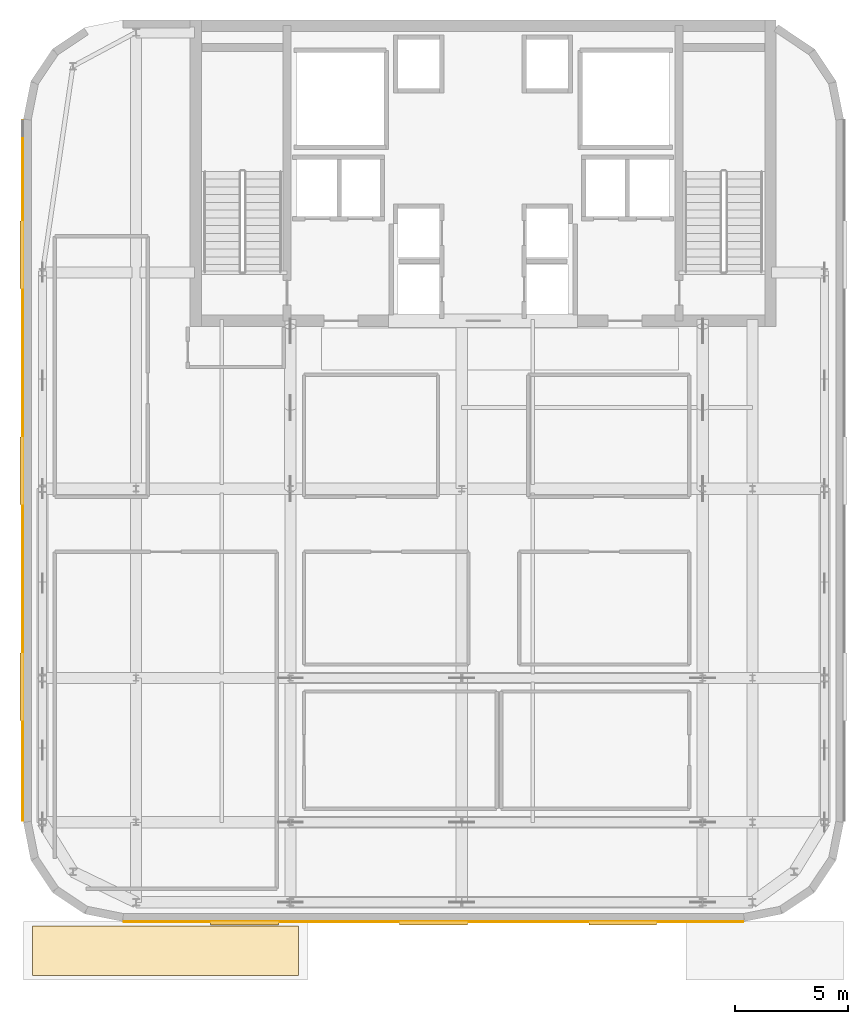
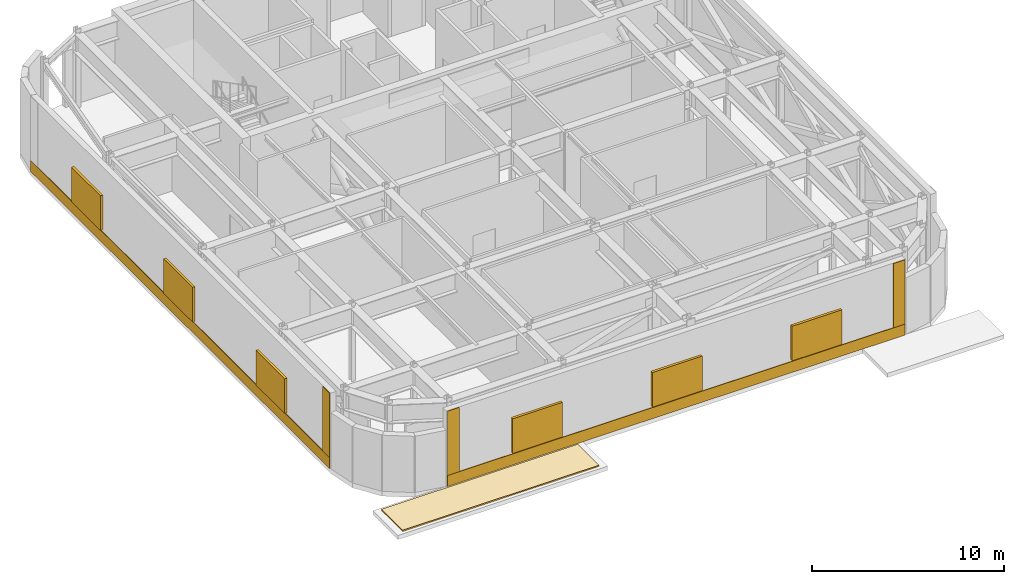
# One storey, part 10 of 13: 6 coverings, 6 shading devices.
"""IFC4 building model written with IfcOpenShell, lengths in metres."""

from ifc_helpers import new_model, si_unit, direction, frame, origin, place, context, subcontext, project, spatial, polyline, outline, extrude, material, layer, layer_set, type_object, element, save


model = new_model("IFC4")

# Units and contexts
model_context = context("Model", 3, precision=1e-05, world=origin(), true_north=direction((0.0, 1.0)))
body_context = subcontext(model_context, "Body", "Model", "MODEL_VIEW")
ifc_project = project(units=[si_unit("LENGTHUNIT", "METRE"), si_unit("AREAUNIT", "SQUARE_METRE"), si_unit("VOLUMEUNIT", "CUBIC_METRE"), si_unit("PLANEANGLEUNIT", "RADIAN"), si_unit("MASSUNIT", "GRAM", prefix="KILO")], contexts=[model_context])

# Site, building, storey
site_placement = place(None, origin())
site = spatial("IfcSite", under=ifc_project, at=site_placement, CompositionType="ELEMENT")
building_placement = place(site_placement, origin())
building = spatial("IfcBuilding", under=site, at=building_placement, Name="Tolvann Quenvar Hotel", CompositionType="ELEMENT")
storey_placement = place(building_placement, frame((0.0, 0.0, 270.050048828125)))
storey = spatial("IfcBuildingStorey", under=building, at=storey_placement, Name="L72", CompositionType="ELEMENT", Elevation=270.050048828125)

# Coverings
ifc_material_1 = material(Name="Kiln-fired red architectural face brick cladding", Category="masonry")
ifc_layer_1 = layer(ifc_material_1, 0.0400390625)
ifc_layer_set_1 = layer_set([ifc_layer_1], Name="Kiln-fired red architectural face brick cladding")
covering_type_1 = type_object("IfcCoveringType", Name="COV_CLAD_BRICK_40", PredefinedType="CLADDING", material=ifc_layer_set_1)
covering_1_placement = place(storey_placement, frame((0.0, 0.0, 0.699951171875)))
element("IfcCovering", 1, at=covering_1_placement, inside=storey, type_object=covering_type_1, Name="Brick Pier Cladding (L72-E04-P1)", PredefinedType="CLADDING", context=body_context, shape_type="SweptSolid", body=[
    extrude(outline(polyline([(7.067138671875, 5.199951171875), (7.76708984375, 5.199951171875), (7.76708984375, 5.159912109375), (7.067138671875, 5.159912109375), (7.067138671875, 5.199951171875)])), origin(), (0.0, 0.0, 1.0), 4.080078125),
])
covering_2_placement = place(storey_placement, frame((0.0, 0.0, 0.699951171875)))
element("IfcCovering", 2, at=covering_2_placement, inside=storey, type_object=covering_type_1, Name="Brick Pier Cladding (L72-E04-P2)", PredefinedType="CLADDING", context=body_context, shape_type="SweptSolid", body=[
    extrude(outline(polyline([(33.832763671875, 5.199951171875), (34.53271484375, 5.199951171875), (34.53271484375, 5.159912109375), (33.832763671875, 5.159912109375), (33.832763671875, 5.199951171875)])), origin(), (0.0, 0.0, 1.0), 4.080078125),
])
covering_3_placement = place(storey_placement, frame((0.0, 0.0, 0.699951171875)))
element("IfcCovering", 3, at=covering_3_placement, inside=storey, type_object=covering_type_1, Name="Brick Pier Cladding (L72-E19-P2)", PredefinedType="CLADDING", context=body_context, shape_type="SweptSolid", body=[
    extrude(outline(polyline([(2.60009765625, 10.3671875), (2.60009765625, 9.667236328125), (2.56005859375, 9.667236328125), (2.56005859375, 10.3671875), (2.60009765625, 10.3671875)])), origin(), (0.0, 0.0, 1.0), 4.080078125),
])
ifc_material_2 = material(Name="Moulded buff architectural terracotta spandrel cladding", Category="masonry")
ifc_layer_2 = layer(ifc_material_2, 0.0400390625)
ifc_layer_set_2 = layer_set([ifc_layer_2], Name="Moulded buff architectural terracotta spandrel cladding")
covering_type_2 = type_object("IfcCoveringType", Name="COV_CLAD_TERRA_40", PredefinedType="CLADDING", material=ifc_layer_set_2)
covering_4_placement = place(storey_placement, origin())
element("IfcCovering", 4, at=covering_4_placement, inside=storey, type_object=covering_type_2, Name="Terracotta Spandrel Cladding (L72-E04)", PredefinedType="CLADDING", context=body_context, shape_type="SweptSolid", body=[
    extrude(outline(polyline([(7.05712890625, 5.199951171875), (34.542724609375, 5.199951171875), (34.542724609375, 5.159912109375), (7.05712890625, 5.159912109375), (7.05712890625, 5.199951171875)])), origin(), (0.0, 0.0, 1.0), 0.699951171875),
])
covering_5_placement = place(storey_placement, origin())
element("IfcCovering", 5, at=covering_5_placement, inside=storey, type_object=covering_type_2, Name="Terracotta Spandrel Cladding (L72-E19)", PredefinedType="CLADDING", context=body_context, shape_type="SweptSolid", body=[
    extrude(outline(polyline([(2.60009765625, 40.742919921875), (2.60009765625, 9.6572265625), (2.56005859375, 9.6572265625), (2.56005859375, 40.742919921875), (2.60009765625, 40.742919921875)])), origin(), (0.0, 0.0, 1.0), 0.699951171875),
])
ifc_material_3 = material(Name="Elastomeric SBS waterproof roofing membrane and rigid insulation")
ifc_layer_3 = layer(ifc_material_3, 0.080078125)
ifc_layer_set_3 = layer_set([ifc_layer_3], Name="Elastomeric SBS waterproof roofing membrane and rigid insulation")
covering_type_3 = type_object("IfcCoveringType", Name="COV_ROOF_MEMB_80", PredefinedType="ROOFING", material=ifc_layer_set_3)
covering_6_placement = place(storey_placement, origin())
element("IfcCovering", 6, at=covering_6_placement, inside=storey, type_object=covering_type_3, Name="Waterproof Roof Membrane (ROOFING-L72-SW)", PredefinedType="ROOFING", context=body_context, shape_type="SweptSolid", body=[
    extrude(outline(polyline([(3.0, 2.800048828125), (14.800048828125, 2.800048828125), (14.800048828125, 5.0), (3.0, 5.0), (3.0, 2.800048828125)])), origin(), (0.0, 0.0, 1.0), 0.079833984375),
])

# Shading devices
ifc_material_4 = material(Name="Extruded bronze-anodised aluminium acoustic weather louvre", Category="aluminium")
shading_device_type = type_object("IfcShadingDeviceType", Name="SHD_LOUVRE_AL", PredefinedType="JALOUSIE", material=ifc_material_4)
shading_device_1_placement = place(storey_placement, frame((0.0, 0.0, 0.820068359375)))
element("IfcShadingDevice", 7, at=shading_device_1_placement, inside=storey, type_object=shading_device_type, Name="Acoustic Plant Weather Louvre (L72-E04-1)", PredefinedType="JALOUSIE", context=body_context, shape_type="SweptSolid", body=[
    extrude(outline(polyline([(10.91162109375, 5.199951171875), (13.91162109375, 5.199951171875), (13.91162109375, 5.050048828125), (10.91162109375, 5.050048828125), (10.91162109375, 5.199951171875)])), origin(), (0.0, 0.0, 1.0), 2.199951171875),
])
shading_device_2_placement = place(storey_placement, frame((0.0, 0.0, 0.820068359375)))
element("IfcShadingDevice", 8, at=shading_device_2_placement, inside=storey, type_object=shading_device_type, Name="Acoustic Plant Weather Louvre (L72-E04-2)", PredefinedType="JALOUSIE", context=body_context, shape_type="SweptSolid", body=[
    extrude(outline(polyline([(19.300048828125, 5.199951171875), (22.300048828125, 5.199951171875), (22.300048828125, 5.050048828125), (19.300048828125, 5.050048828125), (19.300048828125, 5.199951171875)])), origin(), (0.0, 0.0, 1.0), 2.199951171875),
])
shading_device_3_placement = place(storey_placement, frame((0.0, 0.0, 0.820068359375)))
element("IfcShadingDevice", 9, at=shading_device_3_placement, inside=storey, type_object=shading_device_type, Name="Acoustic Plant Weather Louvre (L72-E04-3)", PredefinedType="JALOUSIE", context=body_context, shape_type="SweptSolid", body=[
    extrude(outline(polyline([(27.6884765625, 5.199951171875), (30.6884765625, 5.199951171875), (30.6884765625, 5.050048828125), (27.6884765625, 5.050048828125), (27.6884765625, 5.199951171875)])), origin(), (0.0, 0.0, 1.0), 2.199951171875),
])
shading_device_4_placement = place(storey_placement, frame((0.0, 0.0, 0.820068359375)))
element("IfcShadingDevice", 10, at=shading_device_4_placement, inside=storey, type_object=shading_device_type, Name="Acoustic Plant Weather Louvre (L72-E19-1)", PredefinedType="JALOUSIE", context=body_context, shape_type="SweptSolid", body=[
    extrude(outline(polyline([(2.60009765625, 36.28857421875), (2.60009765625, 33.28857421875), (2.449951171875, 33.28857421875), (2.449951171875, 36.28857421875), (2.60009765625, 36.28857421875)])), origin(), (0.0, 0.0, 1.0), 2.199951171875),
])
shading_device_5_placement = place(storey_placement, frame((0.0, 0.0, 0.820068359375)))
element("IfcShadingDevice", 11, at=shading_device_5_placement, inside=storey, type_object=shading_device_type, Name="Acoustic Plant Weather Louvre (L72-E19-2)", PredefinedType="JALOUSIE", context=body_context, shape_type="SweptSolid", body=[
    extrude(outline(polyline([(2.60009765625, 26.699951171875), (2.60009765625, 23.699951171875), (2.449951171875, 23.699951171875), (2.449951171875, 26.699951171875), (2.60009765625, 26.699951171875)])), origin(), (0.0, 0.0, 1.0), 2.199951171875),
])
shading_device_6_placement = place(storey_placement, frame((0.0, 0.0, 0.820068359375)))
element("IfcShadingDevice", 12, at=shading_device_6_placement, inside=storey, type_object=shading_device_type, Name="Acoustic Plant Weather Louvre (L72-E19-3)", PredefinedType="JALOUSIE", context=body_context, shape_type="SweptSolid", body=[
    extrude(outline(polyline([(2.60009765625, 17.111572265625), (2.60009765625, 14.111572265625), (2.449951171875, 14.111572265625), (2.449951171875, 17.111572265625), (2.60009765625, 17.111572265625)])), origin(), (0.0, 0.0, 1.0), 2.199951171875),
])

save(model, "model.ifc")
